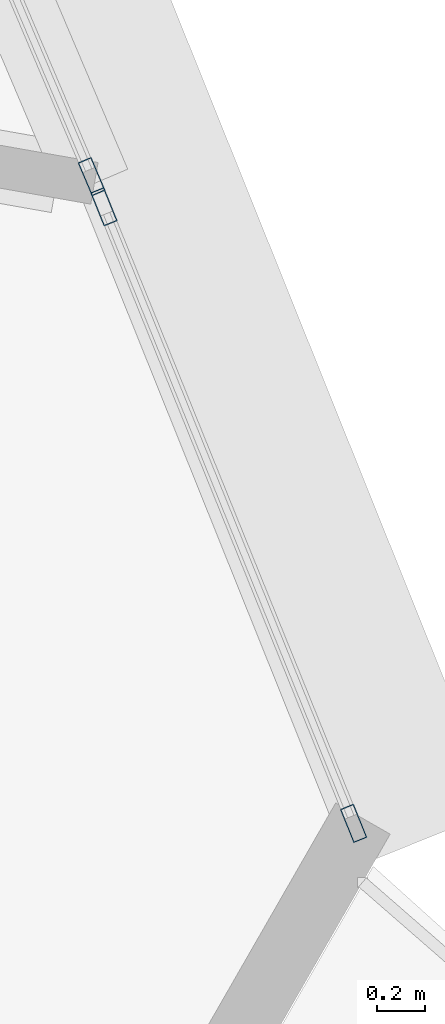
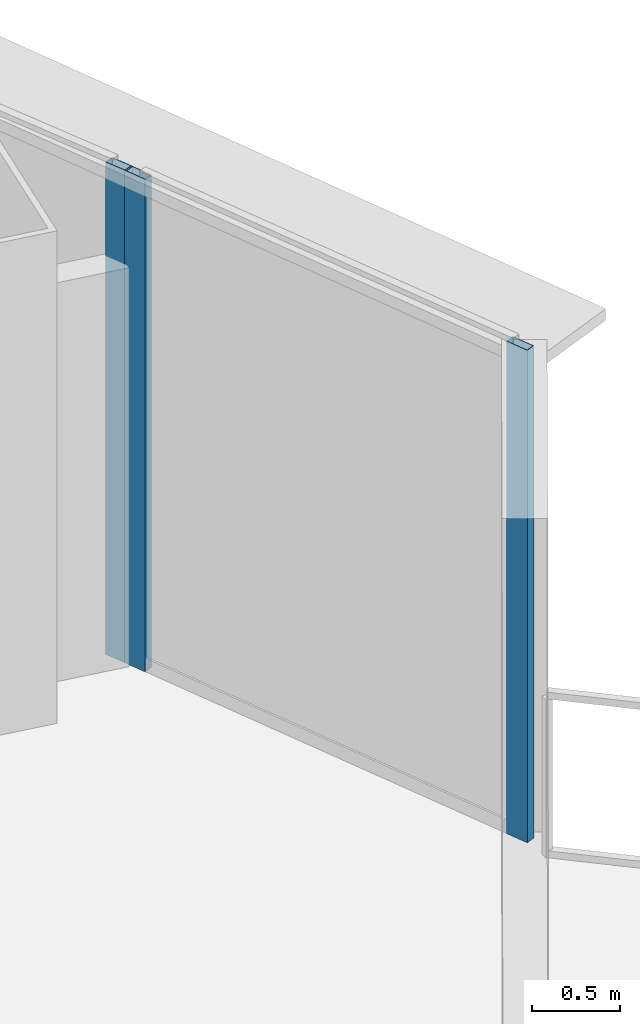
# One storey, part 26 of 39: 3 members, 2 elements without a shape of their own.
"""IFC4 building model written with IfcOpenShell, lengths in metres."""

from ifc_helpers import new_model, si_unit, direction, frame, origin, origin_2d, place, context, subcontext, project, spatial, hollow_rectangle, extrude, source, transform, mapped, material, layer, layer_set, material_profile, profile_set, type_object, element, aggregate, save


model = new_model("IFC4")

# Units and contexts
model_context = context("Model", 3, precision=1e-05, world=origin(), true_north=direction((0.0, 1.0)))
body_context = subcontext(model_context, "Body", "Model", "MODEL_VIEW")
ifc_project = project(units=[si_unit("LENGTHUNIT", "METRE"), si_unit("AREAUNIT", "SQUARE_METRE"), si_unit("VOLUMEUNIT", "CUBIC_METRE"), si_unit("PLANEANGLEUNIT", "RADIAN"), si_unit("MASSUNIT", "GRAM", prefix="KILO"), si_unit("THERMODYNAMICTEMPERATUREUNIT", "KELVIN"), si_unit("POWERUNIT", "WATT")], contexts=[model_context])

# Site, building, storey
site_placement = place(None, origin())
site = spatial("IfcSite", under=ifc_project, at=site_placement, CompositionType="ELEMENT")
building_placement = place(site_placement, origin())
building = spatial("IfcBuilding", under=site, at=building_placement, Name="Yunzhuo Pagoda Commons", CompositionType="ELEMENT")
storey_placement = place(building_placement, frame((0.0, 0.0, 162.949951171875)))
storey = spatial("IfcBuildingStorey", under=building, at=storey_placement, Name="L41", CompositionType="ELEMENT", Elevation=162.949951171875)

# Curtain wall, member
ifc_material = material(Name="Anodized aluminium 6063-T6", Category="aluminium")
ifc_layer = layer(ifc_material, 0.14990234375)
ifc_layer_set = layer_set([ifc_layer], Name="Anodized aluminium 6063-T6")
curtain_wall_type = type_object("IfcCurtainWallType", Name="CW-MID Mid-Zone Ribbon Curtain Wall", PredefinedType="NOTDEFINED", material=ifc_layer_set)
curtain_wall_1_placement = place(storey_placement, origin())
curtain_wall_1 = element("IfcCurtainWall", 1, at=curtain_wall_1_placement, inside=storey, type_object=curtain_wall_type, Name="L41 curtain wall CW-L41-F2B2", PredefinedType="NOTDEFINED")
ifc_material_profile = material_profile(ifc_material, hollow_rectangle(XDim=0.06005859375, YDim=0.14990234375, WallThickness=0.00390625, at=origin_2d()), Name="Anodized aluminium 6063-T6")
ifc_profile_set = profile_set([ifc_material_profile], Name="Anodized aluminium 6063-T6")
member_type = type_object("IfcMemberType", Name="CW-MID-M Mullion RHS 150x60x4", PredefinedType="MULLION", material=ifc_profile_set)
shared_shape = source(origin(), body_context, "Body", "SweptSolid", [
    extrude(hollow_rectangle(XDim=0.06005859375, YDim=0.14990234375, WallThickness=0.00390625, at=origin_2d()), origin(), (0.0, 0.0, 1.0), 3.420166015625),
])
member_1_placement = place(storey_placement, frame((86.01953125, 27.02197265625, 0.0), z_axis=(0.0, 0.0, 1.0), x_axis=(-0.920363798122, -0.391063267395, 0.0)))
member_1 = element("IfcMember", 2, at=member_1_placement, type_object=member_type, Name="CW mullion 1", PredefinedType="MULLION", context=body_context, shape_type="MappedRepresentation", body=[
    mapped(shared_shape, transform((0.0, 0.0, 0.0), scale=1.0)),
])
aggregate(curtain_wall_1, [member_1])

# Curtain wall, members
curtain_wall_2_placement = place(storey_placement, origin())
curtain_wall_2 = element("IfcCurtainWall", 3, at=curtain_wall_2_placement, inside=storey, type_object=curtain_wall_type, Name="L41 curtain wall CW-L41-F2B1", PredefinedType="NOTDEFINED")
member_2_placement = place(storey_placement, frame((87.105224609375, 24.342041015625, 0.0), z_axis=(0.0, 0.0, 1.0), x_axis=(-0.926896232527, -0.375317697594, 0.0)))
member_2 = element("IfcMember", 4, at=member_2_placement, type_object=member_type, Name="CW mullion 1", PredefinedType="MULLION", context=body_context, shape_type="MappedRepresentation", body=[
    mapped(shared_shape, transform((0.0, 0.0, 0.0), scale=1.0)),
])
member_3_placement = place(storey_placement, frame((86.070556640625, 26.89697265625, 0.0), z_axis=(0.0, 0.0, 1.0), x_axis=(-0.926896232527, -0.375317697594, 0.0)))
member_3 = element("IfcMember", 5, at=member_3_placement, type_object=member_type, Name="CW mullion 2", PredefinedType="MULLION", context=body_context, shape_type="MappedRepresentation", body=[
    mapped(shared_shape, transform((0.0, 0.0, 0.0), scale=1.0)),
])
aggregate(curtain_wall_2, [member_2, member_3])

save(model, "model.ifc")
